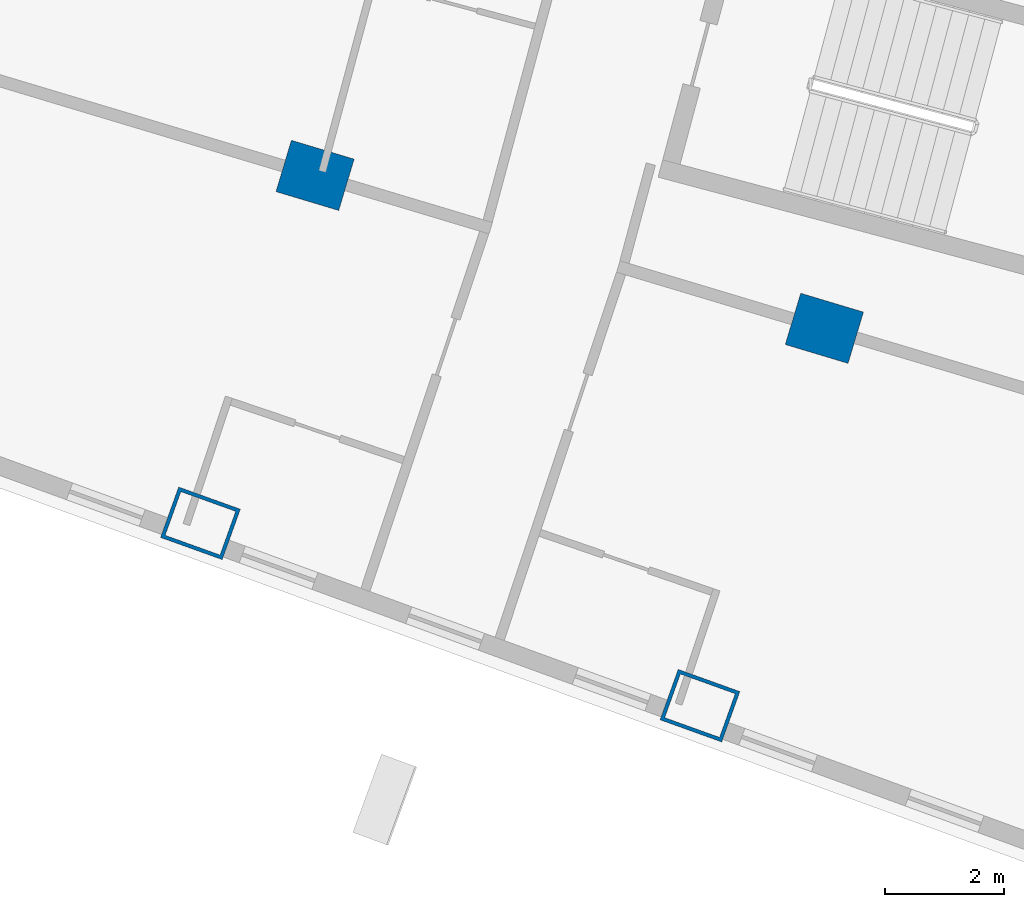
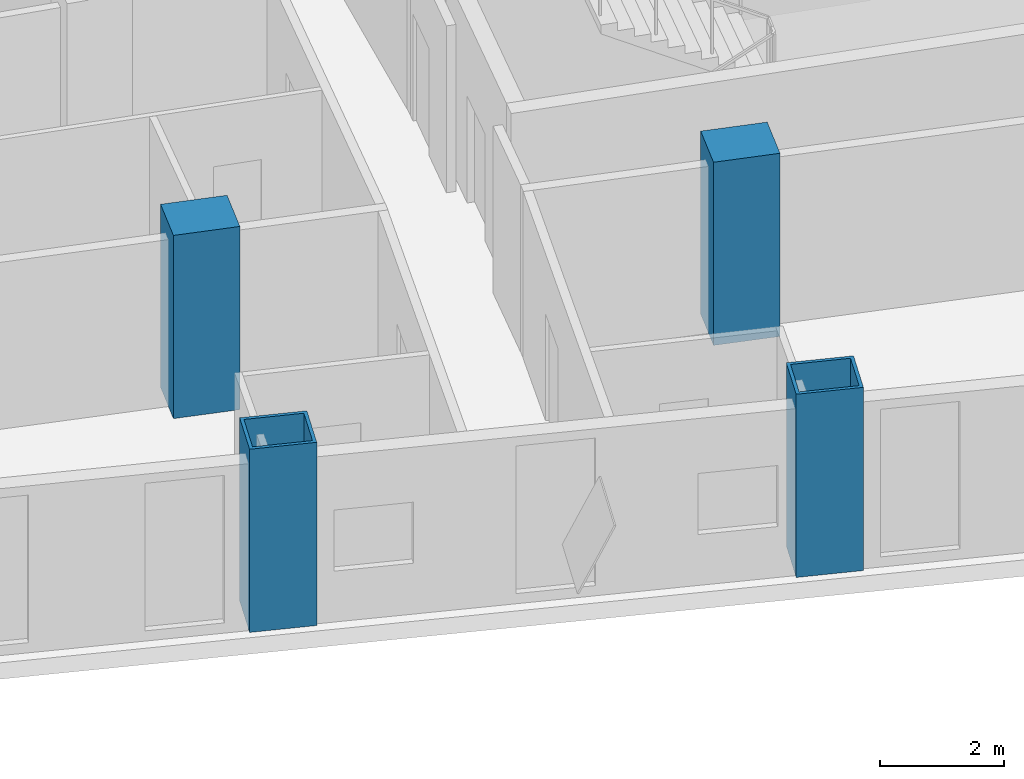
# One storey, part 2 of 25: 4 columns.
"""IFC4 building model written with IfcOpenShell, lengths in metres."""

from ifc_helpers import new_model, si_unit, direction, frame, origin, origin_2d, place, context, subcontext, project, spatial, rectangle, hollow_rectangle, extrude, material, material_profile, profile_set, type_object, element, save


model = new_model("IFC4")

# Units and contexts
model_context = context("Model", 3, precision=1e-05, world=origin(), true_north=direction((0.0, 1.0)))
body_context = subcontext(model_context, "Body", "Model", "MODEL_VIEW")
ifc_project = project(units=[si_unit("LENGTHUNIT", "METRE"), si_unit("AREAUNIT", "SQUARE_METRE"), si_unit("VOLUMEUNIT", "CUBIC_METRE"), si_unit("PLANEANGLEUNIT", "RADIAN"), si_unit("MASSUNIT", "GRAM", prefix="KILO")], contexts=[model_context])

# Site, building, storey
site_placement = place(None, origin())
site = spatial("IfcSite", under=ifc_project, at=site_placement, CompositionType="ELEMENT")
building_placement = place(site_placement, origin())
building = spatial("IfcBuilding", under=site, at=building_placement, Name="Alderwake Tower", CompositionType="ELEMENT")
storey_placement = place(building_placement, frame((0.0, 0.0, 60.800048828125)))
storey = spatial("IfcBuildingStorey", under=building, at=storey_placement, Name="L14", CompositionType="ELEMENT", Elevation=60.800048828125)

# Columns
ifc_material_1 = material(Name="Steel ASTM A572 Grade 50 concrete filled C70/85", Category="concrete")
ifc_material_profile_1 = material_profile(ifc_material_1, hollow_rectangle(XDim=0.89990234375, YDim=1.10009765625, WallThickness=0.06005859375, at=origin_2d()), Name="BOX 1100X900X60")
ifc_profile_set_1 = profile_set([ifc_material_profile_1], Name="Steel ASTM A572 Grade 50 concrete filled C70/85")
column_type_1 = type_object("IfcColumnType", Name="End column Z1", PredefinedType="COLUMN", material=ifc_profile_set_1)
for number, where, z_axis, x_axis, name in (
    (1, (28.983642578125, 21.856689453125, 0.0), (0.0, 0.0, 1.0), (0.338026774049, 0.941136493834, 0.0), "Column R01-C2"),
    (2, (37.37548828125, 18.793212890625, 0.0), (0.0, 0.0, 1.0), (0.338374980629, 0.941011356193, 0.0), "Column R01-C3"),
):
    element("IfcColumn", number, at=place(storey_placement, frame(where, z_axis=z_axis, x_axis=x_axis)), inside=storey, type_object=column_type_1, Name=name, PredefinedType="COLUMN", context=body_context, shape_type="SweptSolid", body=[
        extrude(hollow_rectangle(XDim=0.89990234375, YDim=1.10009765625, WallThickness=0.06005859375, at=origin_2d()), origin(), (0.0, 0.0, 1.0), 3.599853515625),
    ])
ifc_material_2 = material(Name="Concrete C70/85", Category="concrete")
ifc_material_profile_2 = material_profile(ifc_material_2, rectangle(XDim=0.89990234375, YDim=1.10009765625, at=origin_2d()), Name="RC 1100X900")
ifc_profile_set_2 = profile_set([ifc_material_profile_2], Name="Concrete C70/85")
column_type_2 = type_object("IfcColumnType", Name="Interior column Z1", PredefinedType="COLUMN", material=ifc_profile_set_2)
for number, where, z_axis, x_axis, name in (
    (3, (30.9091796875, 27.701904296875, 0.0), (0.0, 0.0, 1.0), (0.287549418125, 0.957765802342, 0.0), "Column R02-C2"),
    (4, (39.46533203125, 25.133056640625, 0.0), (0.0, 0.0, 1.0), (0.287549418125, 0.957765802342, 0.0), "Column R02-C3"),
):
    element("IfcColumn", number, at=place(storey_placement, frame(where, z_axis=z_axis, x_axis=x_axis)), inside=storey, type_object=column_type_2, Name=name, PredefinedType="COLUMN", context=body_context, shape_type="SweptSolid", body=[
        extrude(rectangle(XDim=0.89990234375, YDim=1.10009765625, at=origin_2d()), origin(), (0.0, 0.0, 1.0), 3.599853515625),
    ])

save(model, "model.ifc")
